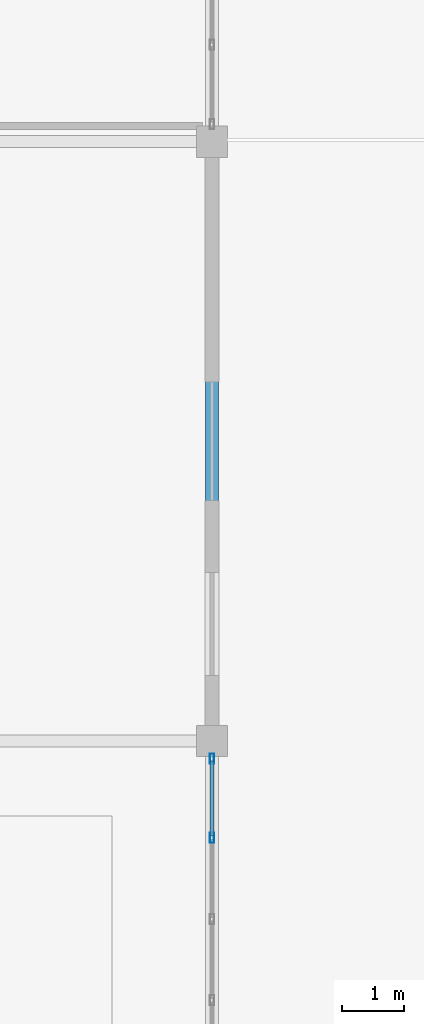
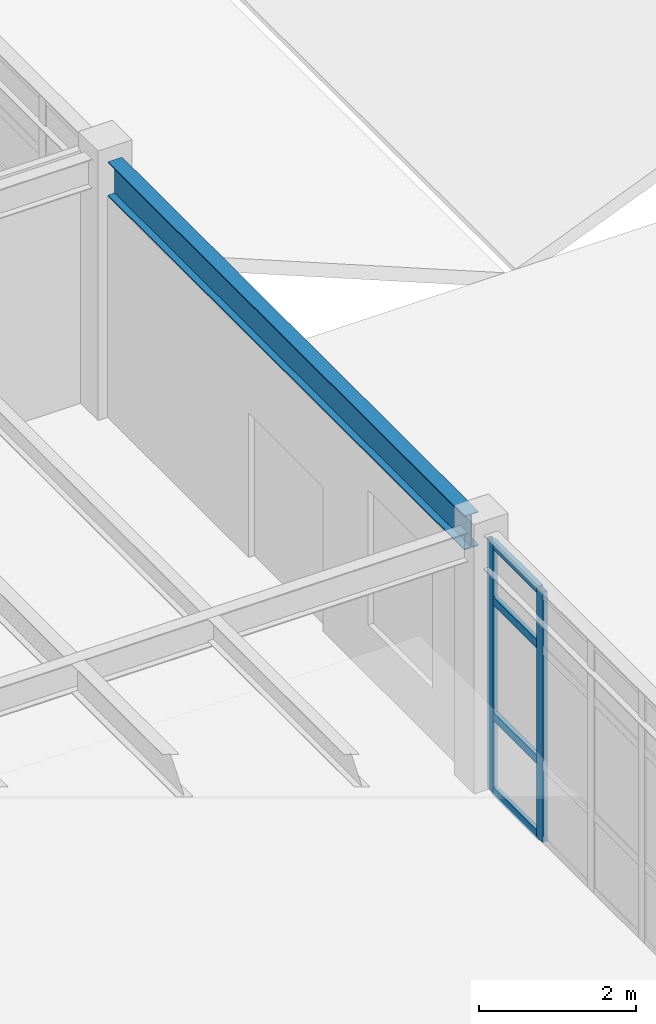
# One storey, part 14 of 83: 6 members, 1 beam, 1 element without a shape of its own.
"""IFC4 building model written with IfcOpenShell, lengths in metres."""

from ifc_helpers import new_model, si_unit, direction, frame, origin, origin_2d, place, context, subcontext, project, spatial, hollow_rectangle, i_section, extrude, material, layer, layer_set, material_profile, profile_set, type_object, element, aggregate, save


model = new_model("IFC4")

# Units and contexts
model_context = context("Model", 3, precision=1e-05, world=origin(), true_north=direction((0.0, 1.0)))
body_context = subcontext(model_context, "Body", "Model", "MODEL_VIEW")
ifc_project = project(units=[si_unit("LENGTHUNIT", "METRE"), si_unit("AREAUNIT", "SQUARE_METRE"), si_unit("VOLUMEUNIT", "CUBIC_METRE"), si_unit("PLANEANGLEUNIT", "RADIAN"), si_unit("MASSUNIT", "GRAM", prefix="KILO")], contexts=[model_context])

# Site, building, storey
site_placement = place(None, origin())
site = spatial("IfcSite", under=ifc_project, at=site_placement, CompositionType="ELEMENT")
building_placement = place(site_placement, origin())
building = spatial("IfcBuilding", under=site, at=building_placement, Name="Pandanus Reach Market Hall", CompositionType="ELEMENT")
storey_placement = place(building_placement, frame((0.0, 0.0, 10.199951171875)))
storey = spatial("IfcBuildingStorey", under=building, at=storey_placement, Name="L02", CompositionType="ELEMENT", Elevation=10.199951171875)

# Beam
ifc_material_1 = material(Name="Steel Grade 350 (350 MPa)", Category="steel")
ifc_material_profile_1 = material_profile(ifc_material_1, i_section(OverallWidth=0.208984375, OverallDepth=0.532958984375, WebThickness=0.01025390625, FlangeThickness=0.015625, at=origin_2d()), Name="530UB92.4", Category="LoadBearing")
ifc_profile_set_1 = profile_set([ifc_material_profile_1], Name="Steel Grade 350 (350 MPa)")
beam_type = type_object("IfcBeamType", Name="BM-UB530-I", PredefinedType="BEAM", material=ifc_profile_set_1)
beam_placement = place(storey_placement, frame((24.0, 9.847900390625, 3.713134765625), z_axis=(0.0, 1.0, 0.0), x_axis=(-1.0, 0.0, 0.0)))
element("IfcBeam", 1, at=beam_placement, inside=storey, type_object=beam_type, Name="Framing beam BM-UB530-I L02.1026", PredefinedType="BEAM", context=body_context, shape_type="SweptSolid", body=[
    extrude(i_section(OverallWidth=0.208984375, OverallDepth=0.532958984375, WebThickness=0.01025390625, FlangeThickness=0.015625, at=origin_2d()), origin(), (0.0, 0.0, 1.0), 9.10400390625),
])

# Curtain wall, members
ifc_material_2 = material(Name="Bronze anodised aluminium and low-E glass", Category="aluminium")
ifc_layer = layer(ifc_material_2, 0.159912109375, Name="CW-24")
ifc_layer_set = layer_set([ifc_layer], Name="Bronze anodised aluminium and low-E glass")
curtain_wall_type = type_object("IfcCurtainWallType", Name="CW-24", PredefinedType="NOTDEFINED", material=ifc_layer_set)
curtain_wall_placement = place(storey_placement, origin())
curtain_wall = element("IfcCurtainWall", 2, at=curtain_wall_placement, inside=storey, type_object=curtain_wall_type, Name="Glazed curtain wall CW-24 CW-0068", PredefinedType="NOTDEFINED")
ifc_material_3 = material(Name="Bronze anodised aluminium", Category="aluminium")
ifc_material_profile_2 = material_profile(ifc_material_3, hollow_rectangle(XDim=0.06494140625, YDim=0.159912109375, WallThickness=0.00390625, at=origin_2d()), Name="ALU65x160", Category="LoadBearing")
ifc_profile_set_2 = profile_set([ifc_material_profile_2], Name="Bronze anodised aluminium")
member_type_1 = type_object("IfcMemberType", Name="CW-M1", PredefinedType="MULLION", material=ifc_profile_set_2)
member_1_placement = place(storey_placement, frame((24.0, 8.050048828125, 0.0), z_axis=(0.0, 0.0, 1.0), x_axis=(-1.0, 0.0, 0.0)))
member_1 = element("IfcMember", 3, at=member_1_placement, type_object=member_type_1, Name="CW-24 mullion 7", PredefinedType="MULLION", context=body_context, shape_type="SweptSolid", body=[
    extrude(hollow_rectangle(XDim=0.06494140625, YDim=0.159912109375, WallThickness=0.00390625, at=origin_2d()), origin(), (0.0, 0.0, 1.0), 3.900146484375),
])
member_2_placement = place(storey_placement, frame((24.0, 9.3173828125, 0.0), z_axis=(0.0, 0.0, 1.0), x_axis=(-1.0, 0.0, 0.0)))
member_2 = element("IfcMember", 4, at=member_2_placement, type_object=member_type_1, Name="CW-24 mullion 8", PredefinedType="MULLION", context=body_context, shape_type="SweptSolid", body=[
    extrude(hollow_rectangle(XDim=0.06494140625, YDim=0.159912109375, WallThickness=0.00390625, at=origin_2d()), origin(), (0.0, 0.0, 1.0), 3.900146484375),
])
ifc_material_profile_3 = material_profile(ifc_material_3, hollow_rectangle(XDim=0.06494140625, YDim=0.1298828125, WallThickness=0.00390625, at=origin_2d()), Name="ALU65x130", Category="LoadBearing")
ifc_profile_set_3 = profile_set([ifc_material_profile_3], Name="Bronze anodised aluminium")
member_type_2 = type_object("IfcMemberType", Name="CW-T1", PredefinedType="USERDEFINED", material=ifc_profile_set_3)
member_3_placement = place(storey_placement, frame((24.0, 8.08251953125, 0.032470703125), z_axis=(0.0, 1.0, 0.0), x_axis=(-1.0, 0.0, 0.0)))
member_3 = element("IfcMember", 5, at=member_3_placement, type_object=member_type_2, Name="CW-24 transom 7.1", ObjectType="TRANSOM", PredefinedType="USERDEFINED", context=body_context, shape_type="SweptSolid", body=[
    extrude(hollow_rectangle(XDim=0.06494140625, YDim=0.1298828125, WallThickness=0.00390625, at=origin_2d()), origin(), (0.0, 0.0, 1.0), 1.202392578125),
])
member_4_placement = place(storey_placement, frame((24.0, 8.08251953125, 1.199951171875), z_axis=(0.0, 1.0, 0.0), x_axis=(-1.0, 0.0, 0.0)))
member_4 = element("IfcMember", 6, at=member_4_placement, type_object=member_type_2, Name="CW-24 transom 7.2", ObjectType="TRANSOM", PredefinedType="USERDEFINED", context=body_context, shape_type="SweptSolid", body=[
    extrude(hollow_rectangle(XDim=0.06494140625, YDim=0.1298828125, WallThickness=0.00390625, at=origin_2d()), origin(), (0.0, 0.0, 1.0), 1.202392578125),
])
member_5_placement = place(storey_placement, frame((24.0, 8.08251953125, 3.0), z_axis=(0.0, 1.0, 0.0), x_axis=(-1.0, 0.0, 0.0)))
member_5 = element("IfcMember", 7, at=member_5_placement, type_object=member_type_2, Name="CW-24 transom 7.3", ObjectType="TRANSOM", PredefinedType="USERDEFINED", context=body_context, shape_type="SweptSolid", body=[
    extrude(hollow_rectangle(XDim=0.06494140625, YDim=0.1298828125, WallThickness=0.00390625, at=origin_2d()), origin(), (0.0, 0.0, 1.0), 1.202392578125),
])
member_6_placement = place(storey_placement, frame((24.0, 8.08251953125, 3.867431640625), z_axis=(0.0, 1.0, 0.0), x_axis=(-1.0, 0.0, 0.0)))
member_6 = element("IfcMember", 8, at=member_6_placement, type_object=member_type_2, Name="CW-24 transom 7.4", ObjectType="TRANSOM", PredefinedType="USERDEFINED", context=body_context, shape_type="SweptSolid", body=[
    extrude(hollow_rectangle(XDim=0.06494140625, YDim=0.1298828125, WallThickness=0.00390625, at=origin_2d()), origin(), (0.0, 0.0, 1.0), 1.202392578125),
])
aggregate(curtain_wall, [member_1, member_2, member_3, member_4, member_5, member_6])

save(model, "model.ifc")
